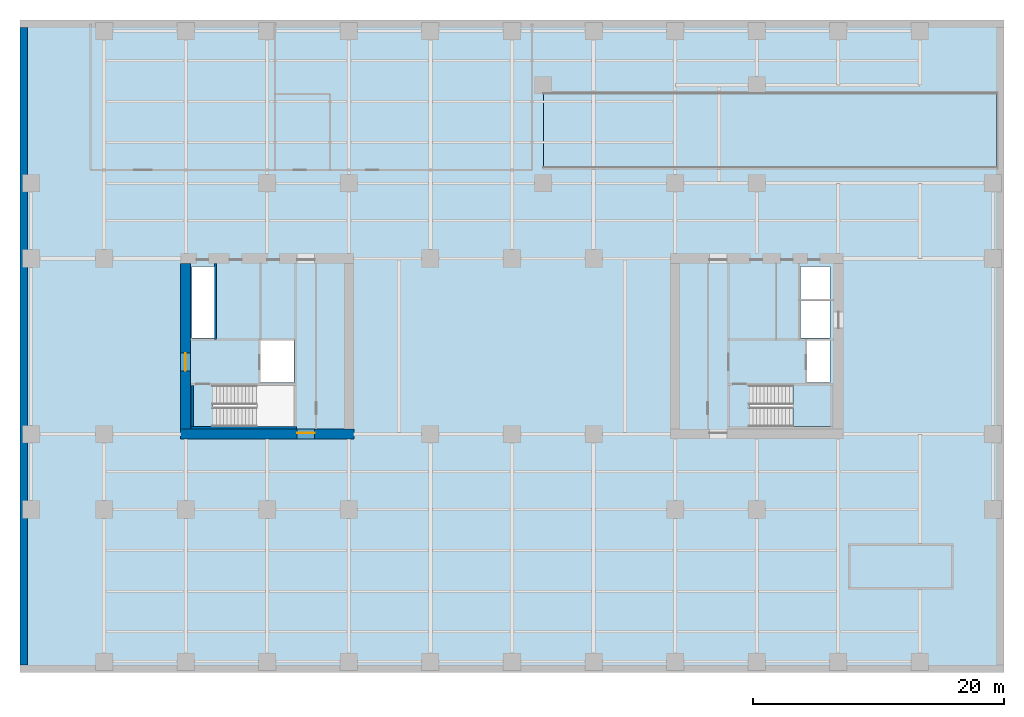
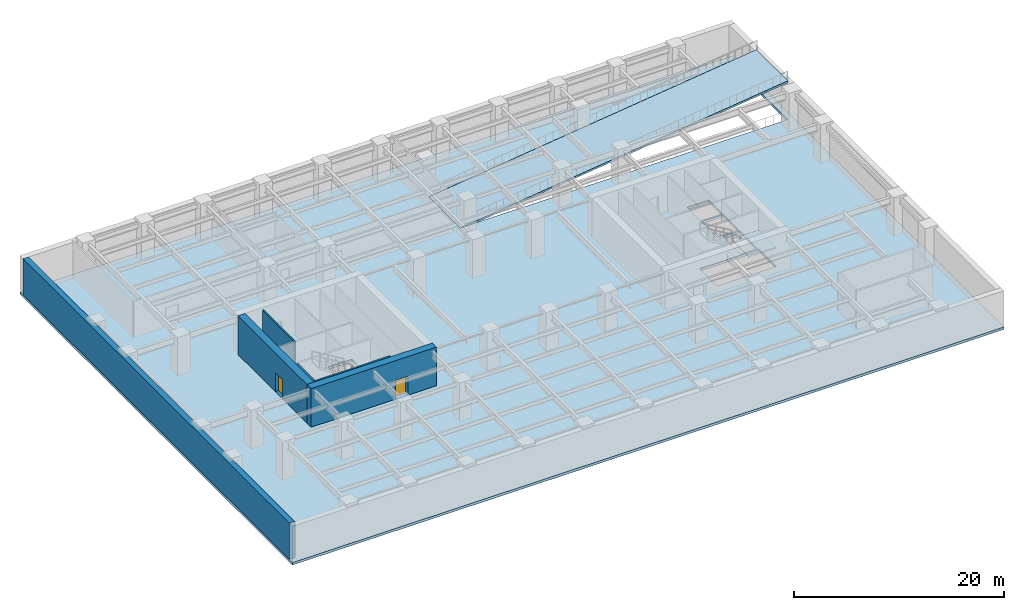
# One storey, part 3 of 10: 6 walls, 3 slabs, 2 doors, 2 openings, 1 element without a shape of its own.
"""IFC4 building model written with IfcOpenShell, lengths in metres."""

from ifc_helpers import new_model, si_unit, direction, frame, frame_2d, origin, place, context, subcontext, project, spatial, polyline, rectangle, outline, extrude, material, layer, layer_set, type_object, element, fill, aggregate, save


model = new_model("IFC4")

# Units and contexts
model_context = context("Model", 3, precision=1e-05, world=origin(), true_north=direction((0.0, 1.0)))
body_context = subcontext(model_context, "Body", "Model", "MODEL_VIEW")
ifc_project = project(units=[si_unit("LENGTHUNIT", "METRE"), si_unit("AREAUNIT", "SQUARE_METRE"), si_unit("VOLUMEUNIT", "CUBIC_METRE"), si_unit("PLANEANGLEUNIT", "RADIAN"), si_unit("MASSUNIT", "GRAM", prefix="KILO")], contexts=[model_context])

# Site, building, storey
site_placement = place(None, origin())
site = spatial("IfcSite", under=ifc_project, at=site_placement, CompositionType="ELEMENT")
building_placement = place(site_placement, origin())
building = spatial("IfcBuilding", under=site, at=building_placement, Name="Putna Gate Headquarters", CompositionType="ELEMENT")
storey_placement = place(building_placement, frame((0.0, 0.0, -4.5)))
storey = spatial("IfcBuildingStorey", under=building, at=storey_placement, Name="B01", CompositionType="ELEMENT", Elevation=-4.5)

# Stair, slab
ifc_material_1 = material(Name="Concrete C40/50", Category="concrete")
stair_type = type_object("IfcStairType", Name="STAIR-ST2", PredefinedType="HALF_TURN_STAIR", material=ifc_material_1)
stair_placement = place(storey_placement, origin())
stair = element("IfcStair", 1, at=stair_placement, inside=storey, type_object=stair_type, Name="B01 East Core Exit Stair ST2", PredefinedType="HALF_TURN_STAIR")
ifc_layer_1 = layer(ifc_material_1, 0.199951171875)
ifc_layer_set_1 = layer_set([ifc_layer_1], Name="Concrete C40/50")
slab_type_1 = type_object("IfcSlabType", Name="LANDING-ST2", PredefinedType="LANDING", material=ifc_layer_set_1)
slab_1_placement = place(storey_placement, frame((0.0, 0.0, 2.050048828125)))
slab_1 = element("IfcSlab", 2, at=slab_1_placement, type_object=slab_type_1, Name="ST2 landing 1", PredefinedType="LANDING", context=body_context, shape_type="SweptSolid", body=[
    extrude(outline(polyline([(61.3798828125, 19.60009765625), (64.39990234375, 19.60009765625), (64.39990234375, 22.89990234375), (61.3798828125, 22.89990234375), (61.3798828125, 19.60009765625)])), origin(), (0.0, 0.0, 1.0), 0.199951171875),
])
aggregate(stair, [slab_1])

# Slabs
ifc_layer_2 = layer(ifc_material_1, 0.300048828125)
ifc_layer_set_2 = layer_set([ifc_layer_2], Name="Concrete C40/50")
slab_type_2 = type_object("IfcSlabType", Name="SLAB-BASE-300", PredefinedType="FLOOR", material=ifc_layer_set_2)
slab_2_placement = place(storey_placement, frame((0.0, 0.0, -0.300048828125)))
element("IfcSlab", 3, at=slab_2_placement, inside=storey, type_object=slab_type_2, Name="B01 Composite Floor Slab", PredefinedType="FLOOR", context=body_context, shape_type="SweptSolid", body=[
    extrude(outline(polyline([(-0.199951171875, 0.0), (78.199951171875, 0.0), (78.199951171875, 52.0), (-0.199951171875, 52.0), (-0.199951171875, 0.0)]), holes=[polyline([(15.1650390625, 19.60009765625), (21.64990234375, 19.60009765625), (21.64990234375, 22.89990234375), (15.1650390625, 22.89990234375), (15.1650390625, 19.60009765625)]), polyline([(57.9150390625, 19.60009765625), (64.39990234375, 19.60009765625), (64.39990234375, 22.89990234375), (57.9150390625, 22.89990234375), (57.9150390625, 19.60009765625)]), polyline([(41.5, 40.199951171875), (77.60009765625, 40.199951171875), (77.60009765625, 46.199951171875), (41.5, 46.199951171875), (41.5, 40.199951171875)]), polyline([(13.52001953125, 26.659912109375), (15.280029296875, 26.659912109375), (15.280029296875, 32.35009765625), (13.52001953125, 32.35009765625), (13.52001953125, 26.659912109375)]), polyline([(61.969970703125, 29.780029296875), (64.35009765625, 29.780029296875), (64.35009765625, 32.35009765625), (61.969970703125, 32.35009765625), (61.969970703125, 29.780029296875)]), polyline([(18.97998046875, 23.1201171875), (21.6201171875, 23.1201171875), (21.6201171875, 26.4599609375), (18.97998046875, 26.4599609375), (18.97998046875, 23.1201171875)]), polyline([(62.52001953125, 23.1201171875), (64.35009765625, 23.1201171875), (64.35009765625, 26.4599609375), (62.52001953125, 26.4599609375), (62.52001953125, 23.1201171875)]), polyline([(61.969970703125, 26.659912109375), (64.35009765625, 26.659912109375), (64.35009765625, 29.6201171875), (61.969970703125, 29.6201171875), (61.969970703125, 26.659912109375)])]), origin(), (0.0, 0.0, 1.0), 0.300048828125),
])
ifc_layer_3 = layer(ifc_material_1, 0.219970703125)
ifc_layer_set_3 = layer_set([ifc_layer_3], Name="Concrete C40/50")
slab_type_3 = type_object("IfcSlabType", Name="SLAB-VRAMP-220", PredefinedType="FLOOR", material=ifc_layer_set_3)
slab_3_placement = place(storey_placement, frame((41.5, 40.199951171875, 0.0), z_axis=(-0.123696082908, 0.0, 0.992320149485), x_axis=(0.992320149485, 0.0, 0.123696082908)))
element("IfcSlab", 4, at=slab_3_placement, inside=storey, type_object=slab_type_3, Name="Car park structural vehicle ramp slab B01 to L00", PredefinedType="FLOOR", context=body_context, shape_type="SweptSolid", body=[
    extrude(outline(polyline([(0.0, 0.0), (36.37948667574608, 0.0), (36.37948667574608, 6.0), (0.0, 6.0), (0.0, 0.0)])), origin(), (0.0, 0.0, -1.0), 0.219970703125),
])

# Wall, opening, door
ifc_material_2 = material(Name="Concrete C60/75", Category="concrete")
ifc_layer_4 = layer(ifc_material_2, 0.800048828125)
ifc_layer_set_4 = layer_set([ifc_layer_4], Name="Concrete C60/75")
wall_type_1 = type_object("IfcWallType", Name="WALL-CORE-800", PredefinedType="SHEAR", material=ifc_layer_set_4)
wall_1_placement = place(storey_placement, frame((12.60009765625, 19.0, 0.0), z_axis=(0.0, 0.0, 1.0), x_axis=(1.0, 0.0, 0.0)))
wall_1 = element("IfcWall", 5, at=wall_1_placement, inside=storey, type_object=wall_type_1, Name="B01 WC Split Core Shear Wall S", PredefinedType="SHEAR", context=body_context, shape_type="SweptSolid", body=[
    extrude(rectangle(XDim=13.7998046875, YDim=0.800048828125, at=frame_2d((6.89990234375, 0.0))), origin(), (0.0, 0.0, 1.0), 4.5),
])
opening_1_placement = place(wall_1_placement, frame((9.280029296875, 0.0, 0.0)))
opening_1 = element("IfcOpeningElement", 6, at=opening_1_placement, cuts=wall_1, Name="Opening FDD-140", PredefinedType="OPENING", context=body_context, shape_type="SweptSolid", body=[
    extrude(rectangle(XDim=1.39990234375, YDim=2.199951171875, at=frame_2d((0.699951171875, 1.10009765625))), frame((0.0, 0.409912109375, 0.0), z_axis=(0.0, -1.0, 0.0), x_axis=(1.0, 0.0, 0.0)), (0.0, 0.0, 1.0), 0.820068359375),
])
ifc_material_3 = material(Name="Double steel fire door", Category="steel")
door_type = type_object("IfcDoorType", Name="DOOR-FIRE-DBL-1400", OperationType="DOUBLE_DOOR_SINGLE_SWING", PredefinedType="DOOR", material=ifc_material_3)
door_1_placement = place(opening_1_placement, origin())
door_1 = element("IfcDoor", 7, at=door_1_placement, inside=storey, type_object=door_type, Name="B01 West Lift Lobby South Door", OperationType="DOUBLE_DOOR_SINGLE_SWING", OverallHeight=2.199951171875, OverallWidth=1.39990234375, PredefinedType="DOOR", context=body_context, shape_type="SweptSolid", body=[
    extrude(rectangle(XDim=1.39990234375, YDim=2.199951171875, at=frame_2d((0.699951171875, 1.10009765625))), frame((0.0, 0.125, 0.0), z_axis=(0.0, -1.0, 0.0), x_axis=(1.0, 0.0, 0.0)), (0.0, 0.0, 1.0), 0.050048828125),
])
fill(opening_1, door_1)

wall_2_placement = place(storey_placement, frame((13.0, 19.39990234375, 0.0), z_axis=(0.0, 0.0, 1.0), x_axis=(0.0, 1.0, 0.0)))
wall_2 = element("IfcWall", 8, at=wall_2_placement, inside=storey, type_object=wall_type_1, Name="B01 WC Split Core Shear Wall W", PredefinedType="SHEAR", context=body_context, shape_type="SweptSolid", body=[
    extrude(rectangle(XDim=13.2001953125, YDim=0.800048828125, at=frame_2d((6.60009765625, 0.0))), origin(), (0.0, 0.0, 1.0), 4.5),
])
opening_2_placement = place(wall_2_placement, frame((4.64990234375, 0.0, 0.0)))
opening_2 = element("IfcOpeningElement", 9, at=opening_2_placement, cuts=wall_2, Name="Opening FDD-140", PredefinedType="OPENING", context=body_context, shape_type="SweptSolid", body=[
    extrude(rectangle(XDim=1.39990234375, YDim=2.199951171875, at=frame_2d((0.699951171875, 1.10009765625))), frame((0.0, 0.409912109375, 0.0), z_axis=(0.0, -1.0, 0.0), x_axis=(1.0, 0.0, 0.0)), (0.0, 0.0, 1.0), 0.820068359375),
])
door_2_placement = place(opening_2_placement, origin())
door_2 = element("IfcDoor", 10, at=door_2_placement, inside=storey, type_object=door_type, Name="B01 West Firefighting Lobby Door", OperationType="DOUBLE_DOOR_SINGLE_SWING", OverallHeight=2.199951171875, OverallWidth=1.39990234375, PredefinedType="DOOR", context=body_context, shape_type="SweptSolid", body=[
    extrude(rectangle(XDim=1.39990234375, YDim=2.199951171875, at=frame_2d((0.699951171875, 1.10009765625))), frame((0.0, 0.02490234375, 0.0), z_axis=(0.0, -1.0, 0.0), x_axis=(1.0, 0.0, 0.0)), (0.0, 0.0, 1.0), 0.050048828125),
])
fill(opening_2, door_2)

# Walls
ifc_layer_5 = layer(ifc_material_1, 0.60009765625)
ifc_layer_set_5 = layer_set([ifc_layer_5], Name="Concrete C40/50")
wall_type_2 = type_object("IfcWallType", Name="WALL-RET-600", PredefinedType="USERDEFINED", material=ifc_layer_set_5)
wall_3_placement = place(storey_placement, frame((0.10009765625, 51.39990234375, 0.0), z_axis=(0.0, 0.0, 1.0), x_axis=(0.0, -1.0, 0.0)))
element("IfcWall", 11, at=wall_3_placement, inside=storey, type_object=wall_type_2, Name="B01 Basement Retaining Wall W", ObjectType="RETAININGWALL", PredefinedType="USERDEFINED", context=body_context, shape_type="SweptSolid", body=[
    extrude(rectangle(XDim=50.7998046875, YDim=0.60009765625, at=frame_2d((25.39990234375, 0.0))), origin(), (0.0, 0.0, 1.0), 4.219970703125),
])
ifc_layer_6 = layer(ifc_material_1, 0.159912109375)
ifc_layer_set_6 = layer_set([ifc_layer_6], Name="Concrete C40/50")
wall_type_3 = type_object("IfcWallType", Name="WALL-SHAFT-160", PredefinedType="STANDARD", material=ifc_layer_set_6)
wall_4_placement = place(storey_placement, frame((15.3798828125, 26.56005859375, 0.0), z_axis=(0.0, 0.0, 1.0), x_axis=(0.0, 1.0, 0.0)))
element("IfcWall", 12, at=wall_4_placement, inside=storey, type_object=wall_type_3, Name="B01 Interior Wall CWINT-B01-WC-RISER-E", PredefinedType="STANDARD", context=body_context, shape_type="SweptSolid", body=[
    extrude(rectangle(XDim=6.0400390625, YDim=0.159912109375, at=frame_2d((3.02001953125, 0.0))), origin(), (0.0, 0.0, 1.0), 4.219970703125),
])
ifc_layer_7 = layer(ifc_material_1, 0.199951171875)
ifc_layer_set_7 = layer_set([ifc_layer_7], Name="Concrete C40/50")
wall_type_4 = type_object("IfcWallType", Name="WALL-SHAFT-RC200", PredefinedType="SHEAR", material=ifc_layer_set_7)
wall_5_placement = place(storey_placement, frame((13.409912109375, 19.510009765625, 0.0), z_axis=(0.0, 0.0, 1.0), x_axis=(1.0, 0.0, 0.0)))
element("IfcWall", 13, at=wall_5_placement, inside=storey, type_object=wall_type_4, Name="B01 Stair ST1 Structural Shaft Wall S", PredefinedType="SHEAR", context=body_context, shape_type="SweptSolid", body=[
    extrude(rectangle(XDim=8.43017578125, YDim=0.199951171875, at=frame_2d((4.215087890625, 0.0))), origin(), (0.0, 0.0, 1.0), 4.5),
])
wall_6_placement = place(storey_placement, frame((13.510009765625, 19.610107421875, 0.0), z_axis=(0.0, 0.0, 1.0), x_axis=(0.0, 1.0, 0.0)))
element("IfcWall", 14, at=wall_6_placement, inside=storey, type_object=wall_type_4, Name="B01 Stair ST1 Structural Shaft Wall W", PredefinedType="SHEAR", context=body_context, shape_type="SweptSolid", body=[
    extrude(rectangle(XDim=3.27978515625, YDim=0.199951171875, at=frame_2d((1.639892578125, 0.0))), origin(), (0.0, 0.0, 1.0), 4.5),
])

save(model, "model.ifc")
